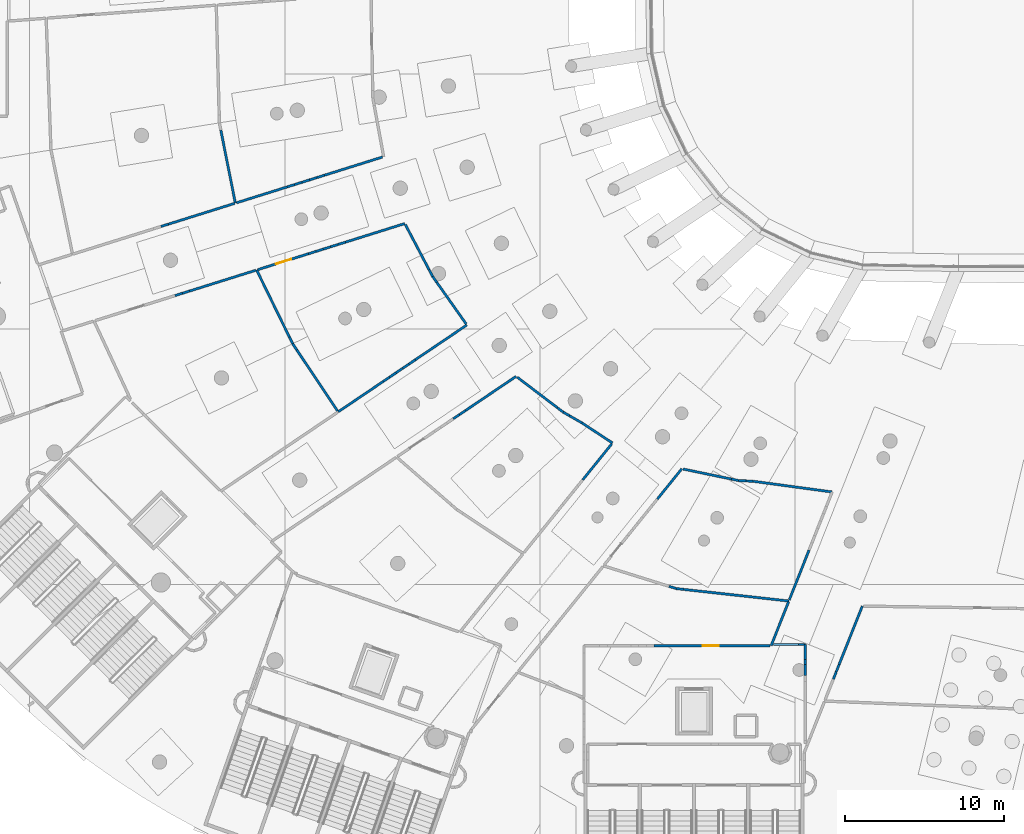
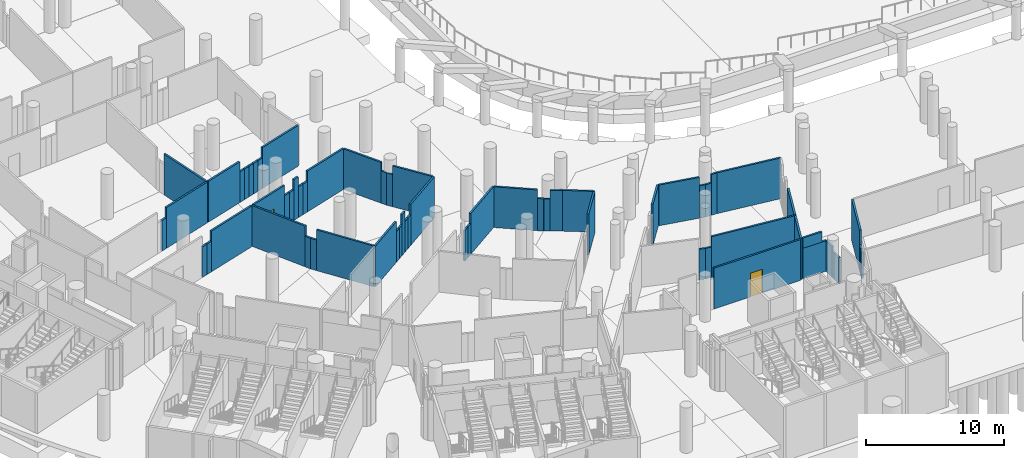
# One storey, part 42 of 142: 64 walls, 2 doors, 2 openings.
"""IFC4 building model written with IfcOpenShell, lengths in metres."""

from ifc_helpers import new_model, si_unit, direction, frame, frame_2d, origin, place, context, subcontext, project, spatial, rectangle, extrude, material, layer, layer_set, type_object, element, fill, save


model = new_model("IFC4")

# Units and contexts
model_context = context("Model", 3, precision=1e-05, world=origin(), true_north=direction((0.0, 1.0)))
body_context = subcontext(model_context, "Body", "Model", "MODEL_VIEW")
ifc_project = project(units=[si_unit("LENGTHUNIT", "METRE"), si_unit("AREAUNIT", "SQUARE_METRE"), si_unit("VOLUMEUNIT", "CUBIC_METRE"), si_unit("PLANEANGLEUNIT", "RADIAN"), si_unit("MASSUNIT", "GRAM", prefix="KILO")], contexts=[model_context])

# Site, building, storey
site_placement = place(None, origin())
site = spatial("IfcSite", under=ifc_project, at=site_placement, CompositionType="ELEMENT")
building_placement = place(site_placement, origin())
building = spatial("IfcBuilding", under=site, at=building_placement, Name="Meseta Stadium", CompositionType="ELEMENT")
storey_placement = place(building_placement, frame((0.0, 0.0, -4.0)))
storey = spatial("IfcBuildingStorey", under=building, at=storey_placement, Name="B1", CompositionType="ELEMENT", Elevation=-4.0)

# Walls
ifc_material_1 = material(Name="Masonry blockwork", Category="masonry")
ifc_layer = layer(ifc_material_1, 0.14990234375)
ifc_layer_set = layer_set([ifc_layer], Name="Partition 150")
wall_type = type_object("IfcWallType", Name="Partition 150", PredefinedType="PARTITIONING", material=ifc_layer_set)
wall_1_placement = place(storey_placement, frame((-67.1044921875, -56.09716796875, 0.0), z_axis=(0.0, 0.0, 1.0), x_axis=(-0.194848838481, 0.980833283562, 0.0)))
element("IfcWall", 1, at=wall_1_placement, inside=storey, type_object=wall_type, Name="Partition B1 B1-cell18-1-0", PredefinedType="PARTITIONING", context=body_context, shape_type="SweptSolid", body=[
    extrude(rectangle(XDim=4.668701171875, YDim=0.14990234375, at=frame_2d((2.33447265625, 0.0))), origin(), (0.0, 0.0, 1.0), 3.60009765625),
])
wall_2_placement = place(storey_placement, frame((-57.873291015625, -53.202880859375, 0.0), z_axis=(0.0, 0.0, 1.0), x_axis=(-0.954211529339, -0.299132675039, 0.0)))
element("IfcWall", 2, at=wall_2_placement, inside=storey, type_object=wall_type, Name="Partition B1 B1-cell18-1-0", PredefinedType="PARTITIONING", context=body_context, shape_type="SweptSolid", body=[
    extrude(rectangle(XDim=3.824462890625, YDim=0.14990234375, at=frame_2d((1.912109375, 0.0))), origin(), (0.0, 0.0, 1.0), 3.60009765625),
])
wall_3_placement = place(storey_placement, frame((-61.522705078125, -54.346923828125, 0.0), z_axis=(0.0, 0.0, 1.0), x_axis=(-0.954095987043, -0.299500997508, 0.0)))
element("IfcWall", 3, at=wall_3_placement, inside=storey, type_object=wall_type, Name="Partition B1 B1-cell18-1-0", PredefinedType="PARTITIONING", context=body_context, shape_type="SweptSolid", body=[
    extrude(rectangle(XDim=0.487548828125, YDim=0.14990234375, at=frame_2d((0.24365234375, 0.0))), origin(), (0.0, 0.0, 1.0), 2.699951171875),
])
wall_4_placement = place(storey_placement, frame((-61.98779296875, -54.492919921875, 0.0), z_axis=(0.0, 0.0, 1.0), x_axis=(-0.954239015287, -0.299044982743, 0.0)))
element("IfcWall", 4, at=wall_4_placement, inside=storey, type_object=wall_type, Name="Partition B1 B1-cell18-1-0", PredefinedType="PARTITIONING", context=body_context, shape_type="SweptSolid", body=[
    extrude(rectangle(XDim=0.4873046875, YDim=0.14990234375, at=frame_2d((0.24365234375, 0.0))), origin(), (0.0, 0.0, 1.0), 2.699951171875),
])
for number, where, z_axis, x_axis, name in (
    (5, (-62.452880859375, -54.638671875, 0.0), (0.0, 0.0, 1.0), (-0.954283778776, -0.298902106993, 0.0), "Partition B1 B1-cell18-1-0"),
    (6, (-62.918212890625, -54.784423828125, 0.0), (0.0, 0.0, 1.0), (-0.954095987043, -0.299500997508, 0.0), "Partition B1 B1-cell18-1-0"),
):
    element("IfcWall", number, at=place(storey_placement, frame(where, z_axis=z_axis, x_axis=x_axis)), inside=storey, type_object=wall_type, Name=name, PredefinedType="PARTITIONING", context=body_context, shape_type="SweptSolid", body=[
        extrude(rectangle(XDim=0.487548828125, YDim=0.14990234375, at=frame_2d((0.24365234375, 0.0))), origin(), (0.0, 0.0, 1.0), 2.699951171875),
    ])
wall_5_placement = place(storey_placement, frame((-63.38330078125, -54.930419921875, 0.0), z_axis=(0.0, 0.0, 1.0), x_axis=(-0.954239015287, -0.299044982743, 0.0)))
element("IfcWall", 7, at=wall_5_placement, inside=storey, type_object=wall_type, Name="Partition B1 B1-cell18-1-0", PredefinedType="PARTITIONING", context=body_context, shape_type="SweptSolid", body=[
    extrude(rectangle(XDim=0.4873046875, YDim=0.14990234375, at=frame_2d((0.24365234375, 0.0))), origin(), (0.0, 0.0, 1.0), 2.699951171875),
])
wall_6_placement = place(storey_placement, frame((-63.848388671875, -55.076171875, 0.0), z_axis=(0.0, 0.0, 1.0), x_axis=(-0.954186629569, -0.299212091922, 0.0)))
element("IfcWall", 8, at=wall_6_placement, inside=storey, type_object=wall_type, Name="Partition B1 B1-cell18-1-0", PredefinedType="PARTITIONING", context=body_context, shape_type="SweptSolid", body=[
    extrude(rectangle(XDim=3.337158203125, YDim=0.14990234375, at=frame_2d((1.66845703125, 0.0))), origin(), (0.0, 0.0, 1.0), 3.60009765625),
])
wall_7_placement = place(storey_placement, frame((-67.15234375, -56.112060546875, 0.0), z_axis=(0.0, 0.0, 1.0), x_axis=(-0.954196372084, -0.299181021292, 0.0)))
element("IfcWall", 9, at=wall_7_placement, inside=storey, type_object=wall_type, Name="Partition B1 B1-cell18-2-0", PredefinedType="PARTITIONING", context=body_context, shape_type="SweptSolid", body=[
    extrude(rectangle(XDim=4.356689453125, YDim=0.14990234375, at=frame_2d((2.17822265625, 0.0))), origin(), (0.0, 0.0, 1.0), 3.60009765625),
])
wall_8_placement = place(storey_placement, frame((-71.3095703125, -57.41552734375, 0.0), z_axis=(0.0, 0.0, 1.0), x_axis=(-0.954228362244, -0.299078974001, 0.0)))
element("IfcWall", 10, at=wall_8_placement, inside=storey, type_object=wall_type, Name="Partition B1 B1-cell18-2-0", PredefinedType="PARTITIONING", context=body_context, shape_type="SweptSolid", body=[
    extrude(rectangle(XDim=0.484130859375, YDim=0.14990234375, at=frame_2d((0.2421875, 0.0))), origin(), (0.0, 0.0, 1.0), 2.699951171875),
])
wall_9_placement = place(storey_placement, frame((-52.581787109375, -63.736572265625, 0.0), z_axis=(0.0, 0.0, 1.0), x_axis=(-0.82882615394, -0.559506216718, 0.0)))
element("IfcWall", 11, at=wall_9_placement, inside=storey, type_object=wall_type, Name="Partition B1 B1-cell19-1-0", PredefinedType="PARTITIONING", context=body_context, shape_type="SweptSolid", body=[
    extrude(rectangle(XDim=3.896240234375, YDim=0.14990234375, at=frame_2d((1.9482421875, 0.0))), origin(), (0.0, 0.0, 1.0), 3.60009765625),
])
wall_10_placement = place(storey_placement, frame((-55.81103515625, -65.91650390625, 0.0), z_axis=(0.0, 0.0, 1.0), x_axis=(-0.828953242646, -0.559317907372, 0.0)))
element("IfcWall", 12, at=wall_10_placement, inside=storey, type_object=wall_type, Name="Partition B1 B1-cell19-1-0", PredefinedType="PARTITIONING", context=body_context, shape_type="SweptSolid", body=[
    extrude(rectangle(XDim=0.487060546875, YDim=0.14990234375, at=frame_2d((0.24365234375, 0.0))), origin(), (0.0, 0.0, 1.0), 2.699951171875),
])
wall_11_placement = place(storey_placement, frame((-56.21484375, -66.18896484375, 0.0), z_axis=(0.0, 0.0, 1.0), x_axis=(-0.828796357195, -0.559550353678, 0.0)))
element("IfcWall", 13, at=wall_11_placement, inside=storey, type_object=wall_type, Name="Partition B1 B1-cell19-1-0", PredefinedType="PARTITIONING", context=body_context, shape_type="SweptSolid", body=[
    extrude(rectangle(XDim=0.48681640625, YDim=0.14990234375, at=frame_2d((0.243408203125, 0.0))), origin(), (0.0, 0.0, 1.0), 2.699951171875),
])
wall_12_placement = place(storey_placement, frame((-56.618408203125, -66.46142578125, 0.0), z_axis=(0.0, 0.0, 1.0), x_axis=(-0.828953242646, -0.559317907372, 0.0)))
element("IfcWall", 14, at=wall_12_placement, inside=storey, type_object=wall_type, Name="Partition B1 B1-cell19-1-0", PredefinedType="PARTITIONING", context=body_context, shape_type="SweptSolid", body=[
    extrude(rectangle(XDim=0.487060546875, YDim=0.14990234375, at=frame_2d((0.24365234375, 0.0))), origin(), (0.0, 0.0, 1.0), 3.60009765625),
])
wall_13_placement = place(storey_placement, frame((-57.022216796875, -66.73388671875, 0.0), z_axis=(0.0, 0.0, 1.0), x_axis=(-0.828563830016, -0.559894614717, 0.0)))
element("IfcWall", 15, at=wall_13_placement, inside=storey, type_object=wall_type, Name="Partition B1 B1-cell19-1-0", PredefinedType="PARTITIONING", context=body_context, shape_type="SweptSolid", body=[
    extrude(rectangle(XDim=0.487060546875, YDim=0.14990234375, at=frame_2d((0.24365234375, 0.0))), origin(), (0.0, 0.0, 1.0), 2.699951171875),
])
wall_14_placement = place(storey_placement, frame((-57.42578125, -67.006591796875, 0.0), z_axis=(0.0, 0.0, 1.0), x_axis=(-0.828796357195, -0.559550353678, 0.0)))
element("IfcWall", 16, at=wall_14_placement, inside=storey, type_object=wall_type, Name="Partition B1 B1-cell19-1-0", PredefinedType="PARTITIONING", context=body_context, shape_type="SweptSolid", body=[
    extrude(rectangle(XDim=0.48681640625, YDim=0.14990234375, at=frame_2d((0.243408203125, 0.0))), origin(), (0.0, 0.0, 1.0), 2.699951171875),
])
wall_15_placement = place(storey_placement, frame((-57.829345703125, -67.279052734375, 0.0), z_axis=(0.0, 0.0, 1.0), x_axis=(-0.828841201566, -0.559483925226, 0.0)))
element("IfcWall", 17, at=wall_15_placement, inside=storey, type_object=wall_type, Name="Partition B1 B1-cell19-1-0", PredefinedType="PARTITIONING", context=body_context, shape_type="SweptSolid", body=[
    extrude(rectangle(XDim=3.408935546875, YDim=0.14990234375, at=frame_2d((1.70458984375, 0.0))), origin(), (0.0, 0.0, 1.0), 3.60009765625),
])
wall_16_placement = place(storey_placement, frame((-60.696533203125, -69.1240234375, 0.0), z_axis=(0.0, 0.0, 1.0), x_axis=(-0.555582071925, 0.831461701677, 0.0)))
element("IfcWall", 18, at=wall_16_placement, inside=storey, type_object=wall_type, Name="Partition B1 B1-cell19-1-0", PredefinedType="PARTITIONING", context=body_context, shape_type="SweptSolid", body=[
    extrude(rectangle(XDim=4.59814453125, YDim=0.14990234375, at=frame_2d((2.299072265625, 0.0))), origin(), (0.0, 0.0, 1.0), 3.60009765625),
])
wall_17_placement = place(storey_placement, frame((-63.251220703125, -65.30078125, 0.0), z_axis=(0.0, 0.0, 1.0), x_axis=(-0.555302810798, 0.831648235927, 0.0)))
element("IfcWall", 19, at=wall_17_placement, inside=storey, type_object=wall_type, Name="Partition B1 B1-cell19-1-0", PredefinedType="PARTITIONING", context=body_context, shape_type="SweptSolid", body=[
    extrude(rectangle(XDim=0.46728515625, YDim=0.14990234375, at=frame_2d((0.233642578125, 0.0))), origin(), (0.0, 0.0, 1.0), 2.699951171875),
])
wall_18_placement = place(storey_placement, frame((-63.5107421875, -64.912109375, 0.0), z_axis=(0.0, 0.0, 1.0), x_axis=(-0.439050948337, 0.898462166574, 0.0)))
element("IfcWall", 20, at=wall_18_placement, inside=storey, type_object=wall_type, Name="Partition B1 B1-cell19-1-0", PredefinedType="PARTITIONING", context=body_context, shape_type="SweptSolid", body=[
    extrude(rectangle(XDim=0.467529296875, YDim=0.14990234375, at=frame_2d((0.23388671875, 0.0))), origin(), (0.0, 0.0, 1.0), 2.699951171875),
])
wall_19_placement = place(storey_placement, frame((-63.716064453125, -64.491943359375, 0.0), z_axis=(0.0, 0.0, 1.0), x_axis=(-0.438947034321, 0.898512938728, 0.0)))
element("IfcWall", 21, at=wall_19_placement, inside=storey, type_object=wall_type, Name="Partition B1 B1-cell19-1-0", PredefinedType="PARTITIONING", context=body_context, shape_type="SweptSolid", body=[
    extrude(rectangle(XDim=4.677001953125, YDim=0.14990234375, at=frame_2d((2.33837890625, 0.0))), origin(), (0.0, 0.0, 1.0), 3.60009765625),
])

# Wall, opening, door
wall_20_placement = place(storey_placement, frame((-65.696533203125, -60.266845703125, 0.0), z_axis=(0.0, 0.0, 1.0), x_axis=(0.95420717929, 0.299146551026, 0.0)))
wall_20 = element("IfcWall", 22, at=wall_20_placement, inside=storey, type_object=wall_type, Name="Partition B1 B1-cell19-1-0", PredefinedType="PARTITIONING", context=body_context, shape_type="SweptSolid", body=[
    extrude(rectangle(XDim=3.3330078125, YDim=0.14990234375, at=frame_2d((1.66650390625, 0.0))), origin(), (0.0, 0.0, 1.0), 3.60009765625),
])
opening_1_placement = place(wall_20_placement, frame((1.199951171875, 0.0, 0.0)))
opening_1 = element("IfcOpeningElement", 23, at=opening_1_placement, cuts=wall_20, Name="Opening D488", PredefinedType="OPENING", context=body_context, shape_type="SweptSolid", body=[
    extrude(rectangle(XDim=1.0, YDim=2.10009765625, at=frame_2d((0.5, 1.050048828125))), frame((0.0, 0.0849609375, 0.0), z_axis=(0.0, -1.0, 0.0), x_axis=(1.0, 0.0, 0.0)), (0.0, 0.0, 1.0), 0.169921875),
])
ifc_material_2 = material(Name="Steel", Category="steel")
door_type = type_object("IfcDoorType", Name="Fire door 1000x2100 EI2 60", OperationType="NOTDEFINED", PredefinedType="DOOR", material=ifc_material_2)
door_1_placement = place(opening_1_placement, origin())
door_1 = element("IfcDoor", 24, at=door_1_placement, inside=storey, type_object=door_type, Name="Door D488", OperationType="SINGLE_SWING_RIGHT", OverallHeight=2.10009765625, OverallWidth=1.0, PredefinedType="DOOR", context=body_context, shape_type="SweptSolid", body=[
    extrude(rectangle(XDim=1.0, YDim=2.10009765625, at=frame_2d((0.5, 1.050048828125))), frame((0.0, 0.02490234375, 0.0), z_axis=(0.0, -1.0, 0.0), x_axis=(1.0, 0.0, 0.0)), (0.0, 0.0, 1.0), 0.050048828125),
])
fill(opening_1, door_1)

# Walls
wall_21_placement = place(storey_placement, frame((-62.51611328125, -59.269775390625, 0.0), z_axis=(0.0, 0.0, 1.0), x_axis=(0.954194187562, 0.299187988432, 0.0)))
element("IfcWall", 25, at=wall_21_placement, inside=storey, type_object=wall_type, Name="Partition B1 B1-cell19-1-0", PredefinedType="PARTITIONING", context=body_context, shape_type="SweptSolid", body=[
    extrude(rectangle(XDim=0.487060546875, YDim=0.14990234375, at=frame_2d((0.24365234375, 0.0))), origin(), (0.0, 0.0, 1.0), 2.699951171875),
])
wall_22_placement = place(storey_placement, frame((-62.05126953125, -59.1240234375, 0.0), z_axis=(0.0, 0.0, 1.0), x_axis=(0.954149295482, 0.299331124226, 0.0)))
element("IfcWall", 26, at=wall_22_placement, inside=storey, type_object=wall_type, Name="Partition B1 B1-cell19-1-0", PredefinedType="PARTITIONING", context=body_context, shape_type="SweptSolid", body=[
    extrude(rectangle(XDim=0.48681640625, YDim=0.14990234375, at=frame_2d((0.243408203125, 0.0))), origin(), (0.0, 0.0, 1.0), 2.699951171875),
])
wall_23_placement = place(storey_placement, frame((-61.586669921875, -58.978271484375, 0.0), z_axis=(0.0, 0.0, 1.0), x_axis=(0.954194187562, 0.299187988432, 0.0)))
element("IfcWall", 27, at=wall_23_placement, inside=storey, type_object=wall_type, Name="Partition B1 B1-cell19-1-0", PredefinedType="PARTITIONING", context=body_context, shape_type="SweptSolid", body=[
    extrude(rectangle(XDim=0.487060546875, YDim=0.14990234375, at=frame_2d((0.24365234375, 0.0))), origin(), (0.0, 0.0, 1.0), 3.60009765625),
])
wall_24_placement = place(storey_placement, frame((-61.121826171875, -58.83251953125, 0.0), z_axis=(0.0, 0.0, 1.0), x_axis=(0.954292408643, 0.298874553627, 0.0)))
element("IfcWall", 28, at=wall_24_placement, inside=storey, type_object=wall_type, Name="Partition B1 B1-cell19-1-0", PredefinedType="PARTITIONING", context=body_context, shape_type="SweptSolid", body=[
    extrude(rectangle(XDim=0.48681640625, YDim=0.14990234375, at=frame_2d((0.243408203125, 0.0))), origin(), (0.0, 0.0, 1.0), 2.699951171875),
])
wall_25_placement = place(storey_placement, frame((-60.6572265625, -58.68701171875, 0.0), z_axis=(0.0, 0.0, 1.0), x_axis=(0.954194187562, 0.299187988432, 0.0)))
element("IfcWall", 29, at=wall_25_placement, inside=storey, type_object=wall_type, Name="Partition B1 B1-cell19-1-0", PredefinedType="PARTITIONING", context=body_context, shape_type="SweptSolid", body=[
    extrude(rectangle(XDim=0.487060546875, YDim=0.14990234375, at=frame_2d((0.24365234375, 0.0))), origin(), (0.0, 0.0, 1.0), 2.699951171875),
])
wall_26_placement = place(storey_placement, frame((-60.1923828125, -58.541259765625, 0.0), z_axis=(0.0, 0.0, 1.0), x_axis=(0.954184030199, 0.299220381178, 0.0)))
element("IfcWall", 30, at=wall_26_placement, inside=storey, type_object=wall_type, Name="Partition B1 B1-cell19-1-0", PredefinedType="PARTITIONING", context=body_context, shape_type="SweptSolid", body=[
    extrude(rectangle(XDim=3.89599609375, YDim=0.14990234375, at=frame_2d((1.947998046875, 0.0))), origin(), (0.0, 0.0, 1.0), 3.60009765625),
])
wall_27_placement = place(storey_placement, frame((-56.439208984375, -57.443115234375, 0.0), z_axis=(0.0, 0.0, 1.0), x_axis=(0.465186694802, -0.885212595357, 0.0)))
element("IfcWall", 31, at=wall_27_placement, inside=storey, type_object=wall_type, Name="Partition B1 B1-cell19-1-0", PredefinedType="PARTITIONING", context=body_context, shape_type="SweptSolid", body=[
    extrude(rectangle(XDim=3.200439453125, YDim=0.14990234375, at=frame_2d((1.60009765625, 0.0))), origin(), (0.0, 0.0, 1.0), 3.60009765625),
])
wall_28_placement = place(storey_placement, frame((-54.950439453125, -60.276123046875, 0.0), z_axis=(0.0, 0.0, 1.0), x_axis=(0.465058676895, -0.885279858036, 0.0)))
element("IfcWall", 32, at=wall_28_placement, inside=storey, type_object=wall_type, Name="Partition B1 B1-cell19-1-0", PredefinedType="PARTITIONING", context=body_context, shape_type="SweptSolid", body=[
    extrude(rectangle(XDim=0.46826171875, YDim=0.14990234375, at=frame_2d((0.234130859375, 0.0))), origin(), (0.0, 0.0, 1.0), 2.85009765625),
])
wall_29_placement = place(storey_placement, frame((-54.732666015625, -60.690673828125, 0.0), z_axis=(0.0, 0.0, 1.0), x_axis=(0.576868319656, -0.816837157442, 0.0)))
element("IfcWall", 33, at=wall_29_placement, inside=storey, type_object=wall_type, Name="Partition B1 B1-cell19-1-0", PredefinedType="PARTITIONING", context=body_context, shape_type="SweptSolid", body=[
    extrude(rectangle(XDim=0.466064453125, YDim=0.14990234375, at=frame_2d((0.23291015625, 0.0))), origin(), (0.0, 0.0, 1.0), 2.85009765625),
])
wall_30_placement = place(storey_placement, frame((-54.4638671875, -61.0712890625, 0.0), z_axis=(0.0, 0.0, 1.0), x_axis=(0.576788435752, -0.816893567353, 0.0)))
element("IfcWall", 34, at=wall_30_placement, inside=storey, type_object=wall_type, Name="Partition B1 B1-cell19-1-0", PredefinedType="PARTITIONING", context=body_context, shape_type="SweptSolid", body=[
    extrude(rectangle(XDim=3.187744140625, YDim=0.14990234375, at=frame_2d((1.59375, 0.0))), origin(), (0.0, 0.0, 1.0), 3.60009765625),
])
wall_31_placement = place(storey_placement, frame((-70.892578125, -61.89599609375, 0.0), z_axis=(0.0, 0.0, 1.0), x_axis=(0.954092729202, 0.299511375551, 0.0)))
element("IfcWall", 35, at=wall_31_placement, inside=storey, type_object=wall_type, Name="Partition B1 B1-cell19-2-0", PredefinedType="PARTITIONING", context=body_context, shape_type="SweptSolid", body=[
    extrude(rectangle(XDim=0.4833984375, YDim=0.14990234375, at=frame_2d((0.24169921875, 0.0))), origin(), (0.0, 0.0, 1.0), 2.699951171875),
])
wall_32_placement = place(storey_placement, frame((-70.431396484375, -61.751220703125, 0.0), z_axis=(0.0, 0.0, 1.0), x_axis=(0.954327195445, 0.298763458331, 0.0)))
element("IfcWall", 36, at=wall_32_placement, inside=storey, type_object=wall_type, Name="Partition B1 B1-cell19-2-0", PredefinedType="PARTITIONING", context=body_context, shape_type="SweptSolid", body=[
    extrude(rectangle(XDim=0.48388671875, YDim=0.14990234375, at=frame_2d((0.241943359375, 0.0))), origin(), (0.0, 0.0, 1.0), 2.699951171875),
])
wall_33_placement = place(storey_placement, frame((-69.9697265625, -61.606689453125, 0.0), z_axis=(0.0, 0.0, 1.0), x_axis=(0.954191084053, 0.299197886211, 0.0)))
element("IfcWall", 37, at=wall_33_placement, inside=storey, type_object=wall_type, Name="Partition B1 B1-cell19-2-0", PredefinedType="PARTITIONING", context=body_context, shape_type="SweptSolid", body=[
    extrude(rectangle(XDim=4.3525390625, YDim=0.14990234375, at=frame_2d((2.17626953125, 0.0))), origin(), (0.0, 0.0, 1.0), 3.60009765625),
])
wall_34_placement = place(storey_placement, frame((-53.43896484375, -69.623779296875, 0.0), z_axis=(0.0, 0.0, 1.0), x_axis=(0.828961577554, 0.559305554182, 0.0)))
element("IfcWall", 38, at=wall_34_placement, inside=storey, type_object=wall_type, Name="Partition B1 B1-cell20-1-0", PredefinedType="PARTITIONING", context=body_context, shape_type="SweptSolid", body=[
    extrude(rectangle(XDim=0.476318359375, YDim=0.14990234375, at=frame_2d((0.23828125, 0.0))), origin(), (0.0, 0.0, 1.0), 2.699951171875),
])
wall_35_placement = place(storey_placement, frame((-53.044189453125, -69.357421875, 0.0), z_axis=(0.0, 0.0, 1.0), x_axis=(0.828801105453, 0.559543320575, 0.0)))
element("IfcWall", 39, at=wall_35_placement, inside=storey, type_object=wall_type, Name="Partition B1 B1-cell20-1-0", PredefinedType="PARTITIONING", context=body_context, shape_type="SweptSolid", body=[
    extrude(rectangle(XDim=0.47607421875, YDim=0.14990234375, at=frame_2d((0.238037109375, 0.0))), origin(), (0.0, 0.0, 1.0), 2.699951171875),
])
wall_36_placement = place(storey_placement, frame((-52.649658203125, -69.091064453125, 0.0), z_axis=(0.0, 0.0, 1.0), x_axis=(0.828831583129, 0.559498174088, 0.0)))
element("IfcWall", 40, at=wall_36_placement, inside=storey, type_object=wall_type, Name="Partition B1 B1-cell20-1-0", PredefinedType="PARTITIONING", context=body_context, shape_type="SweptSolid", body=[
    extrude(rectangle(XDim=3.808837890625, YDim=0.14990234375, at=frame_2d((1.904296875, 0.0))), origin(), (0.0, 0.0, 1.0), 3.60009765625),
])
wall_37_placement = place(storey_placement, frame((-49.4296875, -67.0078125, 0.0), z_axis=(0.0, 0.0, 1.0), x_axis=(0.796072912049, -0.605200725959, 0.0)))
element("IfcWall", 41, at=wall_37_placement, inside=storey, type_object=wall_type, Name="Partition B1 B1-cell20-1-0", PredefinedType="PARTITIONING", context=body_context, shape_type="SweptSolid", body=[
    extrude(rectangle(XDim=3.161865234375, YDim=0.14990234375, at=frame_2d((1.5810546875, 0.0))), origin(), (0.0, 0.0, 1.0), 3.60009765625),
])
wall_38_placement = place(storey_placement, frame((-46.91259765625, -68.92138671875, 0.0), z_axis=(0.0, 0.0, 1.0), x_axis=(0.796060594094, -0.60521692849, 0.0)))
element("IfcWall", 42, at=wall_38_placement, inside=storey, type_object=wall_type, Name="Partition B1 B1-cell20-1-0", PredefinedType="PARTITIONING", context=body_context, shape_type="SweptSolid", body=[
    extrude(rectangle(XDim=0.463134765625, YDim=0.14990234375, at=frame_2d((0.2314453125, 0.0))), origin(), (0.0, 0.0, 1.0), 2.85009765625),
])
wall_39_placement = place(storey_placement, frame((-46.5439453125, -69.20166015625, 0.0), z_axis=(0.0, 0.0, 1.0), x_axis=(0.866749327227, -0.498744026281, 0.0)))
element("IfcWall", 43, at=wall_39_placement, inside=storey, type_object=wall_type, Name="Partition B1 B1-cell20-1-0", PredefinedType="PARTITIONING", context=body_context, shape_type="SweptSolid", body=[
    extrude(rectangle(XDim=0.453857421875, YDim=0.14990234375, at=frame_2d((0.22705078125, 0.0))), origin(), (0.0, 0.0, 1.0), 2.85009765625),
])
wall_40_placement = place(storey_placement, frame((-46.150634765625, -69.427978515625, 0.0), z_axis=(0.0, 0.0, 1.0), x_axis=(0.866915025791, -0.498455953979, 0.0)))
element("IfcWall", 44, at=wall_40_placement, inside=storey, type_object=wall_type, Name="Partition B1 B1-cell20-1-0", PredefinedType="PARTITIONING", context=body_context, shape_type="SweptSolid", body=[
    extrude(rectangle(XDim=0.906982421875, YDim=0.14990234375, at=frame_2d((0.45361328125, 0.0))), origin(), (0.0, 0.0, 1.0), 3.60009765625),
])
wall_41_placement = place(storey_placement, frame((-45.3642578125, -69.880126953125, 0.0), z_axis=(0.0, 0.0, 1.0), x_axis=(0.836012774971, -0.548709978117, 0.0)))
element("IfcWall", 45, at=wall_41_placement, inside=storey, type_object=wall_type, Name="Partition B1 B1-cell20-1-0", PredefinedType="PARTITIONING", context=body_context, shape_type="SweptSolid", body=[
    extrude(rectangle(XDim=2.291015625, YDim=0.14990234375, at=frame_2d((1.1455078125, 0.0))), origin(), (0.0, 0.0, 1.0), 3.60009765625),
])
wall_42_placement = place(storey_placement, frame((-43.49609375, -71.19580078125, 0.0), z_axis=(0.0, 0.0, 1.0), x_axis=(-0.628052420579, -0.77817103326, 0.0)))
element("IfcWall", 46, at=wall_42_placement, inside=storey, type_object=wall_type, Name="Partition B1 B1-cell20-1-0", PredefinedType="PARTITIONING", context=body_context, shape_type="SweptSolid", body=[
    extrude(rectangle(XDim=2.894775390625, YDim=0.14990234375, at=frame_2d((1.447265625, 0.0))), origin(), (0.0, 0.0, 1.0), 3.60009765625),
])
wall_43_placement = place(storey_placement, frame((-32.387451171875, -81.0517578125, 0.0), z_axis=(0.0, 0.0, 1.0), x_axis=(-0.993933014058, 0.109987106363, 0.0)))
element("IfcWall", 47, at=wall_43_placement, inside=storey, type_object=wall_type, Name="Partition B1 B1-cell21-1-0", PredefinedType="PARTITIONING", context=body_context, shape_type="SweptSolid", body=[
    extrude(rectangle(XDim=6.632568359375, YDim=0.14990234375, at=frame_2d((3.31640625, 0.0))), origin(), (0.0, 0.0, 1.0), 3.60009765625),
])
wall_44_placement = place(storey_placement, frame((-38.979736328125, -80.322265625, 0.0), z_axis=(0.0, 0.0, 1.0), x_axis=(-0.993902570525, 0.110261871484, 0.0)))
element("IfcWall", 48, at=wall_44_placement, inside=storey, type_object=wall_type, Name="Partition B1 B1-cell21-1-0", PredefinedType="PARTITIONING", context=body_context, shape_type="SweptSolid", body=[
    extrude(rectangle(XDim=0.473876953125, YDim=0.14990234375, at=frame_2d((0.23681640625, 0.0))), origin(), (0.0, 0.0, 1.0), 2.699951171875),
])
wall_45_placement = place(storey_placement, frame((-39.45068359375, -80.27001953125, 0.0), z_axis=(0.0, 0.0, 1.0), x_axis=(-0.954489064693, 0.298245914275, 0.0)))
element("IfcWall", 49, at=wall_45_placement, inside=storey, type_object=wall_type, Name="Partition B1 B1-cell21-1-0", PredefinedType="PARTITIONING", context=body_context, shape_type="SweptSolid", body=[
    extrude(rectangle(XDim=0.47802734375, YDim=0.14990234375, at=frame_2d((0.239013671875, 0.0))), origin(), (0.0, 0.0, 1.0), 2.699951171875),
])
wall_46_placement = place(storey_placement, frame((-40.63671875, -74.65869140625, 0.0), z_axis=(0.0, 0.0, 1.0), x_axis=(0.62801396352, 0.778202069918, 0.0)))
element("IfcWall", 50, at=wall_46_placement, inside=storey, type_object=wall_type, Name="Partition B1 B1-cell21-1-0", PredefinedType="PARTITIONING", context=body_context, shape_type="SweptSolid", body=[
    extrude(rectangle(XDim=2.44482421875, YDim=0.14990234375, at=frame_2d((1.222412109375, 0.0))), origin(), (0.0, 0.0, 1.0), 3.60009765625),
])
wall_47_placement = place(storey_placement, frame((-39.018798828125, -72.773193359375, 0.0), z_axis=(0.0, 0.0, 1.0), x_axis=(0.97909156947, -0.203420005391, 0.0)))
element("IfcWall", 51, at=wall_47_placement, inside=storey, type_object=wall_type, Name="Partition B1 B1-cell21-1-0", PredefinedType="PARTITIONING", context=body_context, shape_type="SweptSolid", body=[
    extrude(rectangle(XDim=3.1025390625, YDim=0.14990234375, at=frame_2d((1.55126953125, 0.0))), origin(), (0.0, 0.0, 1.0), 3.60009765625),
])
wall_48_placement = place(storey_placement, frame((-35.981201171875, -73.404296875, 0.0), z_axis=(0.0, 0.0, 1.0), x_axis=(0.979131824318, -0.203226156307, 0.0)))
element("IfcWall", 52, at=wall_48_placement, inside=storey, type_object=wall_type, Name="Partition B1 B1-cell21-1-0", PredefinedType="PARTITIONING", context=body_context, shape_type="SweptSolid", body=[
    extrude(rectangle(XDim=0.455322265625, YDim=0.14990234375, at=frame_2d((0.2275390625, 0.0))), origin(), (0.0, 0.0, 1.0), 2.85009765625),
])
wall_49_placement = place(storey_placement, frame((-35.535400390625, -73.496826171875, 0.0), z_axis=(0.0, 0.0, 1.0), x_axis=(0.99890787911, -0.046723110474, 0.0)))
element("IfcWall", 53, at=wall_49_placement, inside=storey, type_object=wall_type, Name="Partition B1 B1-cell21-1-0", PredefinedType="PARTITIONING", context=body_context, shape_type="SweptSolid", body=[
    extrude(rectangle(XDim=0.45458984375, YDim=0.14990234375, at=frame_2d((0.227294921875, 0.0))), origin(), (0.0, 0.0, 1.0), 2.85009765625),
])
wall_50_placement = place(storey_placement, frame((-35.081298828125, -73.51806640625, 0.0), z_axis=(0.0, 0.0, 1.0), x_axis=(0.99888386935, -0.047233627352, 0.0)))
element("IfcWall", 54, at=wall_50_placement, inside=storey, type_object=wall_type, Name="Partition B1 B1-cell21-1-0", PredefinedType="PARTITIONING", context=body_context, shape_type="SweptSolid", body=[
    extrude(rectangle(XDim=0.454833984375, YDim=0.14990234375, at=frame_2d((0.2275390625, 0.0))), origin(), (0.0, 0.0, 1.0), 3.60009765625),
])
wall_51_placement = place(storey_placement, frame((-34.626953125, -73.53955078125, 0.0), z_axis=(0.0, 0.0, 1.0), x_axis=(0.990907273842, -0.134546551968, 0.0)))
element("IfcWall", 55, at=wall_51_placement, inside=storey, type_object=wall_type, Name="Partition B1 B1-cell21-1-0", PredefinedType="PARTITIONING", context=body_context, shape_type="SweptSolid", body=[
    extrude(rectangle(XDim=4.9990234375, YDim=0.14990234375, at=frame_2d((2.49951171875, 0.0))), origin(), (0.0, 0.0, 1.0), 3.60009765625),
])
wall_52_placement = place(storey_placement, frame((-31.120849609375, -77.860107421875, 0.0), z_axis=(0.0, 0.0, 1.0), x_axis=(-0.36889340466, -0.929471708014, 0.0)))
element("IfcWall", 56, at=wall_52_placement, inside=storey, type_object=wall_type, Name="Partition B1 B1-cell21-1-0", PredefinedType="PARTITIONING", context=body_context, shape_type="SweptSolid", body=[
    extrude(rectangle(XDim=3.356201171875, YDim=0.14990234375, at=frame_2d((1.67822265625, 0.0))), origin(), (0.0, 0.0, 1.0), 3.60009765625),
])
wall_53_placement = place(storey_placement, frame((-32.406494140625, -81.10009765625, 0.0), z_axis=(0.0, 0.0, 1.0), x_axis=(-0.368886243229, -0.929474550247, 0.0)))
element("IfcWall", 57, at=wall_53_placement, inside=storey, type_object=wall_type, Name="Partition B1 B1-cell21-2-0", PredefinedType="PARTITIONING", context=body_context, shape_type="SweptSolid", body=[
    extrude(rectangle(XDim=2.959716796875, YDim=0.14990234375, at=frame_2d((1.47998046875, 0.0))), origin(), (0.0, 0.0, 1.0), 3.60009765625),
])

# Wall, opening, door
wall_54_placement = place(storey_placement, frame((-33.5791015625, -83.85107421875, 0.0), z_axis=(0.0, 0.0, 1.0), x_axis=(-1.0, 0.0, 0.0)))
wall_54 = element("IfcWall", 58, at=wall_54_placement, inside=storey, type_object=wall_type, Name="Partition B1 B1-cell21-2-0", PredefinedType="PARTITIONING", context=body_context, shape_type="SweptSolid", body=[
    extrude(rectangle(XDim=7.253662109375, YDim=0.14990234375, at=frame_2d((3.626953125, 0.0))), origin(), (0.0, 0.0, 1.0), 3.60009765625),
])
opening_2_placement = place(wall_54_placement, frame((3.199951171875, 0.0, 0.0)))
opening_2 = element("IfcOpeningElement", 59, at=opening_2_placement, cuts=wall_54, Name="Opening D495", PredefinedType="OPENING", context=body_context, shape_type="SweptSolid", body=[
    extrude(rectangle(XDim=1.0, YDim=2.10009765625, at=frame_2d((0.5, 1.050048828125))), frame((0.0, 0.0849609375, 0.0), z_axis=(0.0, -1.0, 0.0), x_axis=(1.0, 0.0, 0.0)), (0.0, 0.0, 1.0), 0.169921875),
])
door_2_placement = place(opening_2_placement, origin())
door_2 = element("IfcDoor", 60, at=door_2_placement, inside=storey, type_object=door_type, Name="Door D495", OperationType="SINGLE_SWING_LEFT", OverallHeight=2.10009765625, OverallWidth=1.0, PredefinedType="DOOR", context=body_context, shape_type="SweptSolid", body=[
    extrude(rectangle(XDim=1.0, YDim=2.10009765625, at=frame_2d((0.5, 1.050048828125))), frame((0.0, 0.02490234375, 0.0), z_axis=(0.0, -1.0, 0.0), x_axis=(1.0, 0.0, 0.0)), (0.0, 0.0, 1.0), 0.050048828125),
])
fill(opening_2, door_2)

# Walls
for number, where, z_axis, x_axis, name in (
    (61, (-29.597900390625, -85.951171875, 0.0), (0.0, 0.0, 1.0), (0.368913426822, 0.929463761268, 0.0), "Partition B1 B1-cell22-1-0"),
    (62, (-29.416015625, -85.492919921875, 0.0), (0.0, 0.0, 1.0), (0.368913426822, 0.929463761268, 0.0), "Partition B1 B1-cell22-1-0"),
):
    element("IfcWall", number, at=place(storey_placement, frame(where, z_axis=z_axis, x_axis=x_axis)), inside=storey, type_object=wall_type, Name=name, PredefinedType="PARTITIONING", context=body_context, shape_type="SweptSolid", body=[
        extrude(rectangle(XDim=0.492919921875, YDim=0.14990234375, at=frame_2d((0.24658203125, 0.0))), origin(), (0.0, 0.0, 1.0), 2.300048828125),
    ])
wall_55_placement = place(storey_placement, frame((-29.234130859375, -85.03466796875, 0.0), z_axis=(0.0, 0.0, 1.0), x_axis=(0.368859950934, 0.9294849846, 0.0)))
element("IfcWall", 63, at=wall_55_placement, inside=storey, type_object=wall_type, Name="Partition B1 B1-cell22-1-0", PredefinedType="PARTITIONING", context=body_context, shape_type="SweptSolid", body=[
    extrude(rectangle(XDim=3.944091796875, YDim=0.14990234375, at=frame_2d((1.97216796875, 0.0))), origin(), (0.0, 0.0, 1.0), 3.60009765625),
])
wall_56_placement = place(storey_placement, frame((-31.3583984375, -85.044189453125, 0.0), z_axis=(0.0, 0.0, 1.0), x_axis=(0.0, 1.0, 0.0)))
element("IfcWall", 64, at=wall_56_placement, inside=storey, type_object=wall_type, Name="Stair vestibule wall B1 core 23", PredefinedType="PARTITIONING", context=body_context, shape_type="SweptSolid", body=[
    extrude(rectangle(XDim=0.33935546875, YDim=0.14990234375, at=frame_2d((0.169677734375, 0.0))), origin(), (0.0, 0.0, 1.0), 2.300048828125),
])
wall_57_placement = place(storey_placement, frame((-31.3583984375, -84.704833984375, 0.0), z_axis=(0.0, 0.0, 1.0), x_axis=(0.0, 1.0, 0.0)))
element("IfcWall", 65, at=wall_57_placement, inside=storey, type_object=wall_type, Name="Stair vestibule wall B1 core 23", PredefinedType="PARTITIONING", context=body_context, shape_type="SweptSolid", body=[
    extrude(rectangle(XDim=0.9287109375, YDim=0.14990234375, at=frame_2d((0.46435546875, 0.0))), origin(), (0.0, 0.0, 1.0), 2.699951171875),
])
wall_58_placement = place(storey_placement, frame((-31.3583984375, -83.776123046875, 0.0), z_axis=(0.0, 0.0, 1.0), x_axis=(-1.0, 0.0, 0.0)))
element("IfcWall", 66, at=wall_58_placement, inside=storey, type_object=wall_type, Name="Stair vestibule wall B1 core 23", PredefinedType="PARTITIONING", context=body_context, shape_type="SweptSolid", body=[
    extrude(rectangle(XDim=1.998779296875, YDim=0.14990234375, at=frame_2d((0.99951171875, 0.0))), origin(), (0.0, 0.0, 1.0), 2.699951171875),
])
wall_59_placement = place(storey_placement, frame((-31.767333984375, -83.776123046875, 2.699951171875), z_axis=(0.0, 0.0, 1.0), x_axis=(-1.0, 0.0, 0.0)))
element("IfcWall", 67, at=wall_59_placement, inside=storey, type_object=wall_type, Name="Stair vestibule wall B1 core 23", PredefinedType="PARTITIONING", context=body_context, shape_type="SweptSolid", body=[
    extrude(rectangle(XDim=1.58984375, YDim=0.14990234375, at=frame_2d((0.794921875, 0.0))), origin(), (0.0, 0.0, 1.0), 0.900146484375),
])
wall_60_placement = place(storey_placement, frame((-31.3583984375, -85.709228515625, 0.0), z_axis=(0.0, 0.0, 1.0), x_axis=(0.0, 1.0, 0.0)))
element("IfcWall", 68, at=wall_60_placement, inside=storey, type_object=wall_type, Name="Stair vestibule wall B1 core 23", PredefinedType="PARTITIONING", context=body_context, shape_type="SweptSolid", body=[
    extrude(rectangle(XDim=0.6650390625, YDim=0.14990234375, at=frame_2d((0.33251953125, 0.0))), origin(), (0.0, 0.0, 1.0), 2.300048828125),
])

save(model, "model.ifc")
